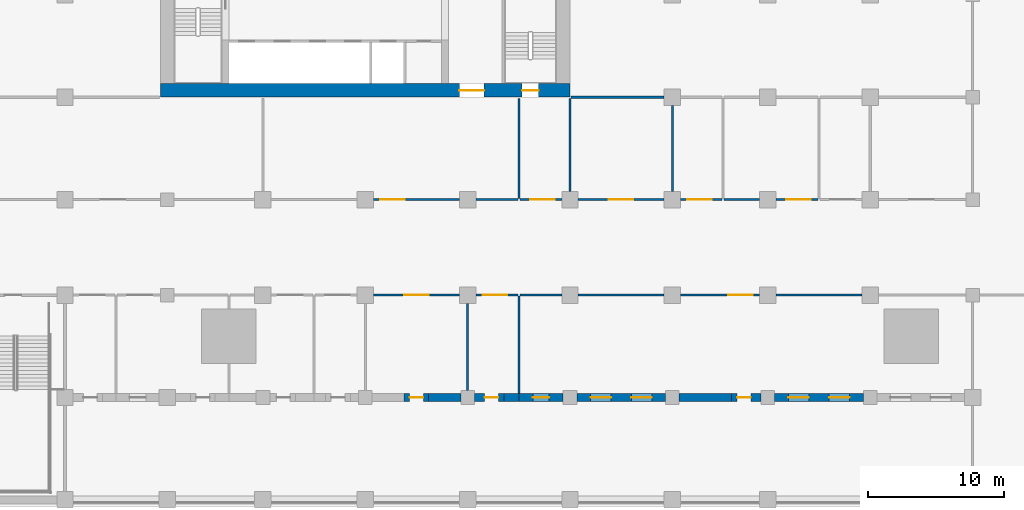
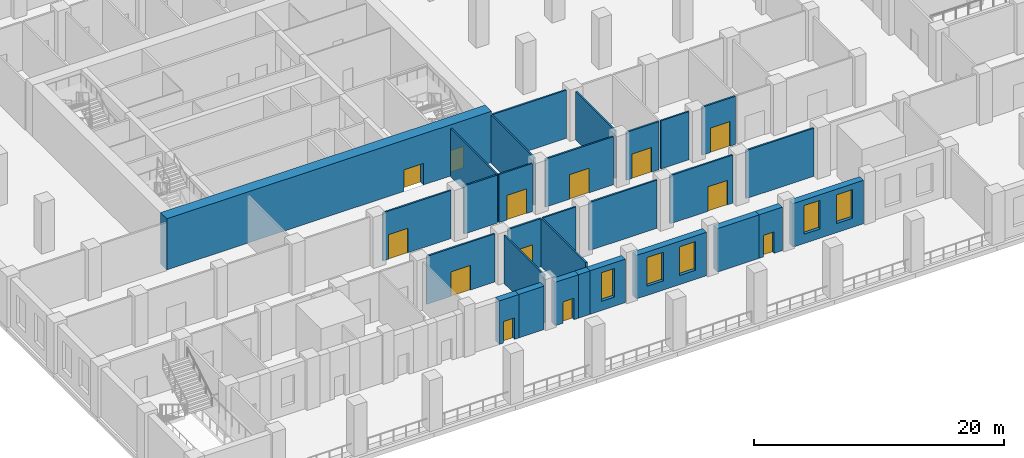
# One storey, part 4 of 22: 29 walls, 13 doors, 5 windows, 18 openings.
"""IFC4 building model written with IfcOpenShell, lengths in metres."""

from ifc_helpers import new_model, si_unit, direction, frame, frame_2d, origin, place, context, subcontext, project, spatial, rectangle, extrude, material, layer, layer_set, type_object, element, fill, save


model = new_model("IFC4")

# Units and contexts
model_context = context("Model", 3, precision=1e-05, world=origin(), true_north=direction((0.0, 1.0)))
body_context = subcontext(model_context, "Body", "Model", "MODEL_VIEW")
ifc_project = project(units=[si_unit("LENGTHUNIT", "METRE"), si_unit("AREAUNIT", "SQUARE_METRE"), si_unit("VOLUMEUNIT", "CUBIC_METRE"), si_unit("PLANEANGLEUNIT", "RADIAN"), si_unit("MASSUNIT", "GRAM", prefix="KILO")], contexts=[model_context])

# Site, building, storey
site_placement = place(None, origin())
site = spatial("IfcSite", under=ifc_project, at=site_placement, CompositionType="ELEMENT")
building_placement = place(site_placement, origin())
building = spatial("IfcBuilding", under=site, at=building_placement, Name="Tamorin Gate", CompositionType="ELEMENT")
storey_placement = place(building_placement, frame((0.0, 0.0, 29.0)))
storey = spatial("IfcBuildingStorey", under=building, at=storey_placement, Name="L05", CompositionType="ELEMENT", Elevation=29.0)

# Wall, opening, door
ifc_material_1 = material(Name="Concrete masonry C20/25", Category="masonry")
ifc_layer_1 = layer(ifc_material_1, 0.14990234375)
ifc_layer_set_1 = layer_set([ifc_layer_1], Name="Partition 150")
wall_type_1 = type_object("IfcWallType", Name="Partition 150", PredefinedType="PARTITIONING", material=ifc_layer_set_1)
wall_1_placement = place(storey_placement, frame((45.60009765625, 45.5, 0.0), z_axis=(0.0, 0.0, 1.0), x_axis=(1.0, 0.0, 0.0)))
wall_1 = element("IfcWall", 1, at=wall_1_placement, inside=storey, type_object=wall_type_1, Name="Partition 150 L05", PredefinedType="PARTITIONING", context=body_context, shape_type="SweptSolid", body=[
    extrude(rectangle(XDim=6.2998046875, YDim=0.14990234375, at=frame_2d((3.14990234375, 0.0))), origin(), (0.0, 0.0, 1.0), 4.699951171875),
])
opening_1_placement = place(wall_1_placement, frame((2.25, 0.0, 0.0)))
opening_1 = element("IfcOpeningElement", 2, at=opening_1_placement, cuts=wall_1, Name="Opening DP3", PredefinedType="OPENING", context=body_context, shape_type="SweptSolid", body=[
    extrude(rectangle(XDim=1.800048828125, YDim=2.39990234375, at=frame_2d((0.89990234375, 1.199951171875))), frame((0.0, 0.0849609375, 0.0), z_axis=(0.0, -1.0, 0.0), x_axis=(1.0, 0.0, 0.0)), (0.0, 0.0, 1.0), 0.169921875),
])
ifc_material_2 = material(Name="Steel and glass", Category="steel")
door_type_1 = type_object("IfcDoorType", Name="Door pair 1800", OperationType="DOUBLE_DOOR_SINGLE_SWING", PredefinedType="DOOR", material=ifc_material_2)
door_1_placement = place(opening_1_placement, origin())
door_1 = element("IfcDoor", 3, at=door_1_placement, inside=storey, type_object=door_type_1, Name="Door pair 1800 L05", OperationType="SINGLE_SWING_LEFT", OverallHeight=2.39990234375, OverallWidth=1.800048828125, PredefinedType="DOOR", context=body_context, shape_type="SweptSolid", body=[
    extrude(rectangle(XDim=1.800048828125, YDim=2.39990234375, at=frame_2d((0.89990234375, 1.199951171875))), frame((0.0, 0.02490234375, 0.0), z_axis=(0.0, -1.0, 0.0), x_axis=(1.0, 0.0, 0.0)), (0.0, 0.0, 1.0), 0.050048828125),
])
fill(opening_1, door_1)

wall_2_placement = place(storey_placement, frame((53.10009765625, 45.5, 0.0), z_axis=(0.0, 0.0, 1.0), x_axis=(1.0, 0.0, 0.0)))
wall_2 = element("IfcWall", 4, at=wall_2_placement, inside=storey, type_object=wall_type_1, Name="Partition 150 L05", PredefinedType="PARTITIONING", context=body_context, shape_type="SweptSolid", body=[
    extrude(rectangle(XDim=3.074951171875, YDim=0.14990234375, at=frame_2d((1.53759765625, 0.0))), origin(), (0.0, 0.0, 1.0), 4.699951171875),
])
opening_2_placement = place(wall_2_placement, frame((0.5, 0.0, 0.0)))
opening_2 = element("IfcOpeningElement", 5, at=opening_2_placement, cuts=wall_2, Name="Opening DP3", PredefinedType="OPENING", context=body_context, shape_type="SweptSolid", body=[
    extrude(rectangle(XDim=1.800048828125, YDim=2.39990234375, at=frame_2d((0.89990234375, 1.199951171875))), frame((0.0, 0.0849609375, 0.0), z_axis=(0.0, -1.0, 0.0), x_axis=(1.0, 0.0, 0.0)), (0.0, 0.0, 1.0), 0.169921875),
])
door_2_placement = place(opening_2_placement, origin())
door_2 = element("IfcDoor", 6, at=door_2_placement, inside=storey, type_object=door_type_1, Name="Door pair 1800 L05", OperationType="SINGLE_SWING_LEFT", OverallHeight=2.39990234375, OverallWidth=1.800048828125, PredefinedType="DOOR", context=body_context, shape_type="SweptSolid", body=[
    extrude(rectangle(XDim=1.800048828125, YDim=2.39990234375, at=frame_2d((0.89990234375, 1.199951171875))), frame((0.0, 0.02490234375, 0.0), z_axis=(0.0, -1.0, 0.0), x_axis=(1.0, 0.0, 0.0)), (0.0, 0.0, 1.0), 0.050048828125),
])
fill(opening_2, door_2)

# Walls
wall_3_placement = place(storey_placement, frame((56.324951171875, 45.5, 0.0), z_axis=(0.0, 0.0, 1.0), x_axis=(1.0, 0.0, 0.0)))
element("IfcWall", 7, at=wall_3_placement, inside=storey, type_object=wall_type_1, Name="Partition 150 L05", PredefinedType="PARTITIONING", context=body_context, shape_type="SweptSolid", body=[
    extrude(rectangle(XDim=3.074951171875, YDim=0.14990234375, at=frame_2d((1.53759765625, 0.0))), origin(), (0.0, 0.0, 1.0), 4.699951171875),
])
wall_4_placement = place(storey_placement, frame((60.60009765625, 45.5, 0.0), z_axis=(0.0, 0.0, 1.0), x_axis=(1.0, 0.0, 0.0)))
element("IfcWall", 8, at=wall_4_placement, inside=storey, type_object=wall_type_1, Name="Partition 150 L05", PredefinedType="PARTITIONING", context=body_context, shape_type="SweptSolid", body=[
    extrude(rectangle(XDim=6.2998046875, YDim=0.14990234375, at=frame_2d((3.14990234375, 0.0))), origin(), (0.0, 0.0, 1.0), 4.699951171875),
])

# Wall, opening, door
wall_5_placement = place(storey_placement, frame((68.10009765625, 45.5, 0.0), z_axis=(0.0, 0.0, 1.0), x_axis=(1.0, 0.0, 0.0)))
wall_5 = element("IfcWall", 9, at=wall_5_placement, inside=storey, type_object=wall_type_1, Name="Partition 150 L05", PredefinedType="PARTITIONING", context=body_context, shape_type="SweptSolid", body=[
    extrude(rectangle(XDim=5.7998046875, YDim=0.14990234375, at=frame_2d((2.89990234375, 0.0))), origin(), (0.0, 0.0, 1.0), 4.699951171875),
])
opening_3_placement = place(wall_5_placement, frame((3.5, 0.0, 0.0)))
opening_3 = element("IfcOpeningElement", 10, at=opening_3_placement, cuts=wall_5, Name="Opening DP3", PredefinedType="OPENING", context=body_context, shape_type="SweptSolid", body=[
    extrude(rectangle(XDim=1.800048828125, YDim=2.39990234375, at=frame_2d((0.89990234375, 1.199951171875))), frame((0.0, 0.0849609375, 0.0), z_axis=(0.0, -1.0, 0.0), x_axis=(1.0, 0.0, 0.0)), (0.0, 0.0, 1.0), 0.169921875),
])
door_3_placement = place(opening_3_placement, origin())
door_3 = element("IfcDoor", 11, at=door_3_placement, inside=storey, type_object=door_type_1, Name="Door pair 1800 L05", OperationType="SINGLE_SWING_LEFT", OverallHeight=2.39990234375, OverallWidth=1.800048828125, PredefinedType="DOOR", context=body_context, shape_type="SweptSolid", body=[
    extrude(rectangle(XDim=1.800048828125, YDim=2.39990234375, at=frame_2d((0.89990234375, 1.199951171875))), frame((0.0, 0.02490234375, 0.0), z_axis=(0.0, -1.0, 0.0), x_axis=(1.0, 0.0, 0.0)), (0.0, 0.0, 1.0), 0.050048828125),
])
fill(opening_3, door_3)

# Wall
wall_6_placement = place(storey_placement, frame((75.10009765625, 45.5, 0.0), z_axis=(0.0, 0.0, 1.0), x_axis=(1.0, 0.0, 0.0)))
element("IfcWall", 12, at=wall_6_placement, inside=storey, type_object=wall_type_1, Name="Partition 150 L05", PredefinedType="PARTITIONING", context=body_context, shape_type="SweptSolid", body=[
    extrude(rectangle(XDim=6.2998046875, YDim=0.14990234375, at=frame_2d((3.14990234375, 0.0))), origin(), (0.0, 0.0, 1.0), 4.699951171875),
])

# Wall, opening, door
wall_7_placement = place(storey_placement, frame((51.89990234375, 52.5, 0.0), z_axis=(0.0, 0.0, 1.0), x_axis=(-1.0, 0.0, 0.0)))
wall_7 = element("IfcWall", 13, at=wall_7_placement, inside=storey, type_object=wall_type_1, Name="Partition 150 L05", PredefinedType="PARTITIONING", context=body_context, shape_type="SweptSolid", body=[
    extrude(rectangle(XDim=6.2998046875, YDim=0.14990234375, at=frame_2d((3.14990234375, 0.0))), origin(), (0.0, 0.0, 1.0), 4.699951171875),
])
opening_4_placement = place(wall_7_placement, frame((4.0, 0.0, 0.0)))
opening_4 = element("IfcOpeningElement", 14, at=opening_4_placement, cuts=wall_7, Name="Opening DP3", PredefinedType="OPENING", context=body_context, shape_type="SweptSolid", body=[
    extrude(rectangle(XDim=1.800048828125, YDim=2.39990234375, at=frame_2d((0.89990234375, 1.199951171875))), frame((0.0, 0.0849609375, 0.0), z_axis=(0.0, -1.0, 0.0), x_axis=(1.0, 0.0, 0.0)), (0.0, 0.0, 1.0), 0.169921875),
])
door_4_placement = place(opening_4_placement, origin())
door_4 = element("IfcDoor", 15, at=door_4_placement, inside=storey, type_object=door_type_1, Name="Door pair 1800 L05", OperationType="SINGLE_SWING_LEFT", OverallHeight=2.39990234375, OverallWidth=1.800048828125, PredefinedType="DOOR", context=body_context, shape_type="SweptSolid", body=[
    extrude(rectangle(XDim=1.800048828125, YDim=2.39990234375, at=frame_2d((0.89990234375, 1.199951171875))), frame((0.0, 0.02490234375, 0.0), z_axis=(0.0, -1.0, 0.0), x_axis=(1.0, 0.0, 0.0)), (0.0, 0.0, 1.0), 0.050048828125),
])
fill(opening_4, door_4)

# Wall
wall_8_placement = place(storey_placement, frame((53.10009765625, 52.5, 0.0), z_axis=(0.0, 0.0, 1.0), x_axis=(1.0, 0.0, 0.0)))
element("IfcWall", 16, at=wall_8_placement, inside=storey, type_object=wall_type_1, Name="Partition 150 L05", PredefinedType="PARTITIONING", context=body_context, shape_type="SweptSolid", body=[
    extrude(rectangle(XDim=3.074951171875, YDim=0.14990234375, at=frame_2d((1.53759765625, 0.0))), origin(), (0.0, 0.0, 1.0), 4.699951171875),
])

# Wall, opening, door
wall_9_placement = place(storey_placement, frame((59.39990234375, 52.5, 0.0), z_axis=(0.0, 0.0, 1.0), x_axis=(-1.0, 0.0, 0.0)))
wall_9 = element("IfcWall", 17, at=wall_9_placement, inside=storey, type_object=wall_type_1, Name="Partition 150 L05", PredefinedType="PARTITIONING", context=body_context, shape_type="SweptSolid", body=[
    extrude(rectangle(XDim=3.074951171875, YDim=0.14990234375, at=frame_2d((1.53759765625, 0.0))), origin(), (0.0, 0.0, 1.0), 4.699951171875),
])
opening_5_placement = place(wall_9_placement, frame((0.52490234375, 0.0, 0.0)))
opening_5 = element("IfcOpeningElement", 18, at=opening_5_placement, cuts=wall_9, Name="Opening DP3", PredefinedType="OPENING", context=body_context, shape_type="SweptSolid", body=[
    extrude(rectangle(XDim=1.800048828125, YDim=2.39990234375, at=frame_2d((0.89990234375, 1.199951171875))), frame((0.0, 0.0849609375, 0.0), z_axis=(0.0, -1.0, 0.0), x_axis=(1.0, 0.0, 0.0)), (0.0, 0.0, 1.0), 0.169921875),
])
door_5_placement = place(opening_5_placement, origin())
door_5 = element("IfcDoor", 19, at=door_5_placement, inside=storey, type_object=door_type_1, Name="Door pair 1800 L05", OperationType="SINGLE_SWING_LEFT", OverallHeight=2.39990234375, OverallWidth=1.800048828125, PredefinedType="DOOR", context=body_context, shape_type="SweptSolid", body=[
    extrude(rectangle(XDim=1.800048828125, YDim=2.39990234375, at=frame_2d((0.89990234375, 1.199951171875))), frame((0.0, 0.02490234375, 0.0), z_axis=(0.0, -1.0, 0.0), x_axis=(1.0, 0.0, 0.0)), (0.0, 0.0, 1.0), 0.050048828125),
])
fill(opening_5, door_5)

wall_10_placement = place(storey_placement, frame((66.89990234375, 52.5, 0.0), z_axis=(0.0, 0.0, 1.0), x_axis=(-1.0, 0.0, 0.0)))
wall_10 = element("IfcWall", 20, at=wall_10_placement, inside=storey, type_object=wall_type_1, Name="Partition 150 L05", PredefinedType="PARTITIONING", context=body_context, shape_type="SweptSolid", body=[
    extrude(rectangle(XDim=6.2998046875, YDim=0.14990234375, at=frame_2d((3.14990234375, 0.0))), origin(), (0.0, 0.0, 1.0), 4.699951171875),
])
opening_6_placement = place(wall_10_placement, frame((2.25, 0.0, 0.0)))
opening_6 = element("IfcOpeningElement", 21, at=opening_6_placement, cuts=wall_10, Name="Opening DP3", PredefinedType="OPENING", context=body_context, shape_type="SweptSolid", body=[
    extrude(rectangle(XDim=1.800048828125, YDim=2.39990234375, at=frame_2d((0.89990234375, 1.199951171875))), frame((0.0, 0.0849609375, 0.0), z_axis=(0.0, -1.0, 0.0), x_axis=(1.0, 0.0, 0.0)), (0.0, 0.0, 1.0), 0.169921875),
])
door_6_placement = place(opening_6_placement, origin())
door_6 = element("IfcDoor", 22, at=door_6_placement, inside=storey, type_object=door_type_1, Name="Door pair 1800 L05", OperationType="SINGLE_SWING_LEFT", OverallHeight=2.39990234375, OverallWidth=1.800048828125, PredefinedType="DOOR", context=body_context, shape_type="SweptSolid", body=[
    extrude(rectangle(XDim=1.800048828125, YDim=2.39990234375, at=frame_2d((0.89990234375, 1.199951171875))), frame((0.0, 0.02490234375, 0.0), z_axis=(0.0, -1.0, 0.0), x_axis=(1.0, 0.0, 0.0)), (0.0, 0.0, 1.0), 0.050048828125),
])
fill(opening_6, door_6)

wall_11_placement = place(storey_placement, frame((71.125, 52.5, 0.0), z_axis=(0.0, 0.0, 1.0), x_axis=(-1.0, 0.0, 0.0)))
wall_11 = element("IfcWall", 23, at=wall_11_placement, inside=storey, type_object=wall_type_1, Name="Partition 150 L05", PredefinedType="PARTITIONING", context=body_context, shape_type="SweptSolid", body=[
    extrude(rectangle(XDim=3.02490234375, YDim=0.14990234375, at=frame_2d((1.512451171875, 0.0))), origin(), (0.0, 0.0, 1.0), 4.699951171875),
])
opening_7_placement = place(wall_11_placement, frame((0.72509765625, 0.0, 0.0)))
opening_7 = element("IfcOpeningElement", 24, at=opening_7_placement, cuts=wall_11, Name="Opening DP3", PredefinedType="OPENING", context=body_context, shape_type="SweptSolid", body=[
    extrude(rectangle(XDim=1.800048828125, YDim=2.39990234375, at=frame_2d((0.89990234375, 1.199951171875))), frame((0.0, 0.0849609375, 0.0), z_axis=(0.0, -1.0, 0.0), x_axis=(1.0, 0.0, 0.0)), (0.0, 0.0, 1.0), 0.169921875),
])
door_7_placement = place(opening_7_placement, origin())
door_7 = element("IfcDoor", 25, at=door_7_placement, inside=storey, type_object=door_type_1, Name="Door pair 1800 L05", OperationType="SINGLE_SWING_LEFT", OverallHeight=2.39990234375, OverallWidth=1.800048828125, PredefinedType="DOOR", context=body_context, shape_type="SweptSolid", body=[
    extrude(rectangle(XDim=1.800048828125, YDim=2.39990234375, at=frame_2d((0.89990234375, 1.199951171875))), frame((0.0, 0.02490234375, 0.0), z_axis=(0.0, -1.0, 0.0), x_axis=(1.0, 0.0, 0.0)), (0.0, 0.0, 1.0), 0.050048828125),
])
fill(opening_7, door_7)

# Wall
wall_12_placement = place(storey_placement, frame((71.27490234375, 52.5, 0.0), z_axis=(0.0, 0.0, 1.0), x_axis=(1.0, 0.0, 0.0)))
element("IfcWall", 26, at=wall_12_placement, inside=storey, type_object=wall_type_1, Name="Partition 150 L05", PredefinedType="PARTITIONING", context=body_context, shape_type="SweptSolid", body=[
    extrude(rectangle(XDim=2.625, YDim=0.14990234375, at=frame_2d((1.3125, 0.0))), origin(), (0.0, 0.0, 1.0), 4.699951171875),
])

# Wall, opening, door
wall_13_placement = place(storey_placement, frame((78.175048828125, 52.5, 0.0), z_axis=(0.0, 0.0, 1.0), x_axis=(-1.0, 0.0, 0.0)))
wall_13 = element("IfcWall", 27, at=wall_13_placement, inside=storey, type_object=wall_type_1, Name="Partition 150 L05", PredefinedType="PARTITIONING", context=body_context, shape_type="SweptSolid", body=[
    extrude(rectangle(XDim=3.074951171875, YDim=0.14990234375, at=frame_2d((1.53759765625, 0.0))), origin(), (0.0, 0.0, 1.0), 4.699951171875),
])
opening_8_placement = place(wall_13_placement, frame((0.52490234375, 0.0, 0.0)))
opening_8 = element("IfcOpeningElement", 28, at=opening_8_placement, cuts=wall_13, Name="Opening DP3", PredefinedType="OPENING", context=body_context, shape_type="SweptSolid", body=[
    extrude(rectangle(XDim=1.800048828125, YDim=2.39990234375, at=frame_2d((0.89990234375, 1.199951171875))), frame((0.0, 0.0849609375, 0.0), z_axis=(0.0, -1.0, 0.0), x_axis=(1.0, 0.0, 0.0)), (0.0, 0.0, 1.0), 0.169921875),
])
door_8_placement = place(opening_8_placement, origin())
door_8 = element("IfcDoor", 29, at=door_8_placement, inside=storey, type_object=door_type_1, Name="Door pair 1800 L05", OperationType="SINGLE_SWING_LEFT", OverallHeight=2.39990234375, OverallWidth=1.800048828125, PredefinedType="DOOR", context=body_context, shape_type="SweptSolid", body=[
    extrude(rectangle(XDim=1.800048828125, YDim=2.39990234375, at=frame_2d((0.89990234375, 1.199951171875))), frame((0.0, 0.02490234375, 0.0), z_axis=(0.0, -1.0, 0.0), x_axis=(1.0, 0.0, 0.0)), (0.0, 0.0, 1.0), 0.050048828125),
])
fill(opening_8, door_8)

# Walls
wall_14_placement = place(storey_placement, frame((60.074951171875, 60.0, 0.0), z_axis=(0.0, 0.0, 1.0), x_axis=(1.0, 0.0, 0.0)))
element("IfcWall", 30, at=wall_14_placement, inside=storey, type_object=wall_type_1, Name="Partition 150 L05", PredefinedType="PARTITIONING", context=body_context, shape_type="SweptSolid", body=[
    extrude(rectangle(XDim=6.824951171875, YDim=0.14990234375, at=frame_2d((3.41259765625, 0.0))), origin(), (0.0, 0.0, 1.0), 4.699951171875),
])
wall_15_placement = place(storey_placement, frame((52.5, 38.5, 0.0), z_axis=(0.0, 0.0, 1.0), x_axis=(0.0, 1.0, 0.0)))
element("IfcWall", 31, at=wall_15_placement, inside=storey, type_object=wall_type_1, Name="Partition 150 L05", PredefinedType="PARTITIONING", context=body_context, shape_type="SweptSolid", body=[
    extrude(rectangle(XDim=6.39990234375, YDim=0.14990234375, at=frame_2d((3.199951171875, 0.0))), origin(), (0.0, 0.0, 1.0), 4.699951171875),
])
wall_16_placement = place(storey_placement, frame((56.25, 38.300048828125, 0.0), z_axis=(0.0, 0.0, 1.0), x_axis=(0.0, 1.0, 0.0)))
element("IfcWall", 32, at=wall_16_placement, inside=storey, type_object=wall_type_1, Name="Partition 150 L05", PredefinedType="PARTITIONING", context=body_context, shape_type="SweptSolid", body=[
    extrude(rectangle(XDim=7.125, YDim=0.14990234375, at=frame_2d((3.5625, 0.0))), origin(), (0.0, 0.0, 1.0), 4.699951171875),
])
wall_17_placement = place(storey_placement, frame((56.25, 52.574951171875, 0.0), z_axis=(0.0, 0.0, 1.0), x_axis=(0.0, 1.0, 0.0)))
element("IfcWall", 33, at=wall_17_placement, inside=storey, type_object=wall_type_1, Name="Partition 150 L05", PredefinedType="PARTITIONING", context=body_context, shape_type="SweptSolid", body=[
    extrude(rectangle(XDim=7.35009765625, YDim=0.14990234375, at=frame_2d((3.675048828125, 0.0))), origin(), (0.0, 0.0, 1.0), 4.699951171875),
])
wall_18_placement = place(storey_placement, frame((60.0, 53.10009765625, 0.0), z_axis=(0.0, 0.0, 1.0), x_axis=(0.0, 1.0, 0.0)))
element("IfcWall", 34, at=wall_18_placement, inside=storey, type_object=wall_type_1, Name="Partition 150 L05", PredefinedType="PARTITIONING", context=body_context, shape_type="SweptSolid", body=[
    extrude(rectangle(XDim=6.824951171875, YDim=0.14990234375, at=frame_2d((3.41259765625, 0.0))), origin(), (0.0, 0.0, 1.0), 4.699951171875),
])
wall_19_placement = place(storey_placement, frame((67.5, 53.10009765625, 0.0), z_axis=(0.0, 0.0, 1.0), x_axis=(0.0, 1.0, 0.0)))
element("IfcWall", 35, at=wall_19_placement, inside=storey, type_object=wall_type_1, Name="Partition 150 L05", PredefinedType="PARTITIONING", context=body_context, shape_type="SweptSolid", body=[
    extrude(rectangle(XDim=6.2998046875, YDim=0.14990234375, at=frame_2d((3.14990234375, 0.0))), origin(), (0.0, 0.0, 1.0), 4.699951171875),
])

# Wall, opening, door
ifc_material_3 = material(Name="Precast concrete C40/50", Category="concrete")
ifc_layer_2 = layer(ifc_material_3, 0.60009765625)
ifc_layer_set_2 = layer_set([ifc_layer_2], Name="Precast concrete C40/50")
wall_type_2 = type_object("IfcWallType", Name="Precast plinth wall 600", PredefinedType="PARTITIONING", material=ifc_layer_set_2)
wall_20_placement = place(storey_placement, frame((49.64990234375, 38.0, 0.0), z_axis=(0.0, 0.0, 1.0), x_axis=(-1.0, 0.0, 0.0)))
wall_20 = element("IfcWall", 36, at=wall_20_placement, inside=storey, type_object=wall_type_2, Name="Precast plinth wall 600 L05", PredefinedType="PARTITIONING", context=body_context, shape_type="SweptSolid", body=[
    extrude(rectangle(XDim=1.7998046875, YDim=0.60009765625, at=frame_2d((0.89990234375, 0.0))), origin(), (0.0, 0.0, 1.0), 4.25),
])
opening_9_placement = place(wall_20_placement, frame((0.39990234375, 0.0, 0.0)))
opening_9 = element("IfcOpeningElement", 37, at=opening_9_placement, cuts=wall_20, Name="Opening DP2", PredefinedType="OPENING", context=body_context, shape_type="SweptSolid", body=[
    extrude(rectangle(XDim=1.0, YDim=2.10009765625, at=frame_2d((0.5, 1.050048828125))), frame((0.0, 0.31005859375, 0.0), z_axis=(0.0, -1.0, 0.0), x_axis=(1.0, 0.0, 0.0)), (0.0, 0.0, 1.0), 0.6201171875),
])
ifc_material_4 = material(Name="Painted steel", Category="steel")
door_type_2 = type_object("IfcDoorType", Name="Door single 1000", OperationType="SINGLE_SWING_LEFT", PredefinedType="DOOR", material=ifc_material_4)
door_9_placement = place(opening_9_placement, origin())
door_9 = element("IfcDoor", 38, at=door_9_placement, inside=storey, type_object=door_type_2, Name="Door single 1000 L05", OperationType="SINGLE_SWING_LEFT", OverallHeight=2.10009765625, OverallWidth=1.0, PredefinedType="DOOR", context=body_context, shape_type="SweptSolid", body=[
    extrude(rectangle(XDim=1.0, YDim=2.10009765625, at=frame_2d((0.5, 1.050048828125))), frame((0.0, 0.02490234375, 0.0), z_axis=(0.0, -1.0, 0.0), x_axis=(1.0, 0.0, 0.0)), (0.0, 0.0, 1.0), 0.050048828125),
])
fill(opening_9, door_9)

# Wall
wall_21_placement = place(storey_placement, frame((49.64990234375, 38.0, 0.0), z_axis=(0.0, 0.0, 1.0), x_axis=(1.0, 0.0, 0.0)))
element("IfcWall", 39, at=wall_21_placement, inside=storey, type_object=wall_type_2, Name="Precast plinth wall 600 L05", PredefinedType="PARTITIONING", context=body_context, shape_type="SweptSolid", body=[
    extrude(rectangle(XDim=2.35009765625, YDim=0.60009765625, at=frame_2d((1.175048828125, 0.0))), origin(), (0.0, 0.0, 1.0), 4.25),
])

# Wall, opening, door
wall_22_placement = place(storey_placement, frame((55.14990234375, 38.0, 0.0), z_axis=(0.0, 0.0, 1.0), x_axis=(-1.0, 0.0, 0.0)))
wall_22 = element("IfcWall", 40, at=wall_22_placement, inside=storey, type_object=wall_type_2, Name="Precast plinth wall 600 L05", PredefinedType="PARTITIONING", context=body_context, shape_type="SweptSolid", body=[
    extrude(rectangle(XDim=2.14990234375, YDim=0.60009765625, at=frame_2d((1.074951171875, 0.0))), origin(), (0.0, 0.0, 1.0), 4.25),
])
opening_10_placement = place(wall_22_placement, frame((0.39990234375, 0.0, 0.0)))
opening_10 = element("IfcOpeningElement", 41, at=opening_10_placement, cuts=wall_22, Name="Opening DP2", PredefinedType="OPENING", context=body_context, shape_type="SweptSolid", body=[
    extrude(rectangle(XDim=1.0, YDim=2.10009765625, at=frame_2d((0.5, 1.050048828125))), frame((0.0, 0.31005859375, 0.0), z_axis=(0.0, -1.0, 0.0), x_axis=(1.0, 0.0, 0.0)), (0.0, 0.0, 1.0), 0.6201171875),
])
door_10_placement = place(opening_10_placement, origin())
door_10 = element("IfcDoor", 42, at=door_10_placement, inside=storey, type_object=door_type_2, Name="Door single 1000 L05", OperationType="SINGLE_SWING_LEFT", OverallHeight=2.10009765625, OverallWidth=1.0, PredefinedType="DOOR", context=body_context, shape_type="SweptSolid", body=[
    extrude(rectangle(XDim=1.0, YDim=2.10009765625, at=frame_2d((0.5, 1.050048828125))), frame((0.0, 0.02490234375, 0.0), z_axis=(0.0, -1.0, 0.0), x_axis=(1.0, 0.0, 0.0)), (0.0, 0.0, 1.0), 0.050048828125),
])
fill(opening_10, door_10)

# Wall
wall_23_placement = place(storey_placement, frame((55.14990234375, 38.0, 0.0), z_axis=(0.0, 0.0, 1.0), x_axis=(1.0, 0.0, 0.0)))
element("IfcWall", 43, at=wall_23_placement, inside=storey, type_object=wall_type_2, Name="Precast plinth wall 600 L05", PredefinedType="PARTITIONING", context=body_context, shape_type="SweptSolid", body=[
    extrude(rectangle(XDim=1.10009765625, YDim=0.60009765625, at=frame_2d((0.550048828125, 0.0))), origin(), (0.0, 0.0, 1.0), 4.25),
])

# Wall, opening, window
wall_24_placement = place(storey_placement, frame((56.25, 38.0, 0.0), z_axis=(0.0, 0.0, 1.0), x_axis=(1.0, 0.0, 0.0)))
wall_24 = element("IfcWall", 44, at=wall_24_placement, inside=storey, type_object=wall_type_2, Name="Precast plinth wall 600 L05", PredefinedType="PARTITIONING", context=body_context, shape_type="SweptSolid", body=[
    extrude(rectangle(XDim=3.25, YDim=0.60009765625, at=frame_2d((1.625, 0.0))), origin(), (0.0, 0.0, 1.0), 4.25),
])
opening_11_placement = place(wall_24_placement, frame((1.02490234375, 0.0, 0.89990234375)))
opening_11 = element("IfcOpeningElement", 45, at=opening_11_placement, cuts=wall_24, Name="Opening PWN4", PredefinedType="OPENING", context=body_context, shape_type="SweptSolid", body=[
    extrude(rectangle(XDim=1.199951171875, YDim=2.800048828125, at=frame_2d((0.60009765625, 1.39990234375))), frame((0.0, 0.31005859375, 0.0), z_axis=(0.0, -1.0, 0.0), x_axis=(1.0, 0.0, 0.0)), (0.0, 0.0, 1.0), 0.6201171875),
])
ifc_material_5 = material(Name="Aluminium and glass", Category="aluminium")
window_type_1 = type_object("IfcWindowType", Name="Plinth window 1200x2800", PartitioningType="DOUBLE_PANEL_VERTICAL", PredefinedType="WINDOW", material=ifc_material_5)
window_1_placement = place(opening_11_placement, origin())
window_1 = element("IfcWindow", 46, at=window_1_placement, inside=storey, type_object=window_type_1, Name="Plinth window 1200x2800", OverallHeight=2.800048828125, OverallWidth=1.199951171875, PartitioningType="SINGLE_PANEL", PredefinedType="WINDOW", context=body_context, shape_type="SweptSolid", body=[
    extrude(rectangle(XDim=1.199951171875, YDim=2.800048828125, at=frame_2d((0.60009765625, 1.39990234375))), frame((0.0, 0.030029296875, 0.0), z_axis=(0.0, -1.0, 0.0), x_axis=(1.0, 0.0, 0.0)), (0.0, 0.0, 1.0), 0.06005859375),
])
fill(opening_11, window_1)

# Wall, openings, windows
wall_25_placement = place(storey_placement, frame((60.5, 38.0, 0.0), z_axis=(0.0, 0.0, 1.0), x_axis=(1.0, 0.0, 0.0)))
wall_25 = element("IfcWall", 47, at=wall_25_placement, inside=storey, type_object=wall_type_2, Name="Precast plinth wall 600 L05", PredefinedType="PARTITIONING", context=body_context, shape_type="SweptSolid", body=[
    extrude(rectangle(XDim=6.5, YDim=0.60009765625, at=frame_2d((3.25, 0.0))), origin(), (0.0, 0.0, 1.0), 4.25),
])
opening_12_placement = place(wall_25_placement, frame((1.0048828125, 0.0, 0.89990234375)))
opening_12 = element("IfcOpeningElement", 48, at=opening_12_placement, cuts=wall_25, Name="Opening PWN5", PredefinedType="OPENING", context=body_context, shape_type="SweptSolid", body=[
    extrude(rectangle(XDim=1.5, YDim=2.800048828125, at=frame_2d((0.75, 1.39990234375))), frame((0.0, 0.31005859375, 0.0), z_axis=(0.0, -1.0, 0.0), x_axis=(1.0, 0.0, 0.0)), (0.0, 0.0, 1.0), 0.6201171875),
])
opening_13_placement = place(wall_25_placement, frame((3.9951171875, 0.0, 0.89990234375)))
opening_13 = element("IfcOpeningElement", 49, at=opening_13_placement, cuts=wall_25, Name="Opening PWN5", PredefinedType="OPENING", context=body_context, shape_type="SweptSolid", body=[
    extrude(rectangle(XDim=1.5, YDim=2.800048828125, at=frame_2d((0.75, 1.39990234375))), frame((0.0, 0.31005859375, 0.0), z_axis=(0.0, -1.0, 0.0), x_axis=(1.0, 0.0, 0.0)), (0.0, 0.0, 1.0), 0.6201171875),
])
window_type_2 = type_object("IfcWindowType", Name="Plinth window 1500x2800", PartitioningType="DOUBLE_PANEL_VERTICAL", PredefinedType="WINDOW", material=ifc_material_5)
window_2_placement = place(opening_12_placement, origin())
window_2 = element("IfcWindow", 50, at=window_2_placement, inside=storey, type_object=window_type_2, Name="Plinth window 1500x2800", OverallHeight=2.800048828125, OverallWidth=1.5, PartitioningType="SINGLE_PANEL", PredefinedType="WINDOW", context=body_context, shape_type="SweptSolid", body=[
    extrude(rectangle(XDim=1.5, YDim=2.800048828125, at=frame_2d((0.75, 1.39990234375))), frame((0.0, 0.030029296875, 0.0), z_axis=(0.0, -1.0, 0.0), x_axis=(1.0, 0.0, 0.0)), (0.0, 0.0, 1.0), 0.06005859375),
])
fill(opening_12, window_2)
window_3_placement = place(opening_13_placement, origin())
window_3 = element("IfcWindow", 51, at=window_3_placement, inside=storey, type_object=window_type_2, Name="Plinth window 1500x2800", OverallHeight=2.800048828125, OverallWidth=1.5, PartitioningType="SINGLE_PANEL", PredefinedType="WINDOW", context=body_context, shape_type="SweptSolid", body=[
    extrude(rectangle(XDim=1.5, YDim=2.800048828125, at=frame_2d((0.75, 1.39990234375))), frame((0.0, 0.030029296875, 0.0), z_axis=(0.0, -1.0, 0.0), x_axis=(1.0, 0.0, 0.0)), (0.0, 0.0, 1.0), 0.06005859375),
])
fill(opening_13, window_3)

# Wall, opening, door
wall_26_placement = place(storey_placement, frame((74.0, 38.0, 0.0), z_axis=(0.0, 0.0, 1.0), x_axis=(-1.0, 0.0, 0.0)))
wall_26 = element("IfcWall", 52, at=wall_26_placement, inside=storey, type_object=wall_type_2, Name="Precast plinth wall 600 L05", PredefinedType="PARTITIONING", context=body_context, shape_type="SweptSolid", body=[
    extrude(rectangle(XDim=2.14990234375, YDim=0.60009765625, at=frame_2d((1.074951171875, 0.0))), origin(), (0.0, 0.0, 1.0), 4.25),
])
opening_14_placement = place(wall_26_placement, frame((0.75, 0.0, 0.0)))
opening_14 = element("IfcOpeningElement", 53, at=opening_14_placement, cuts=wall_26, Name="Opening DP2", PredefinedType="OPENING", context=body_context, shape_type="SweptSolid", body=[
    extrude(rectangle(XDim=1.0, YDim=2.10009765625, at=frame_2d((0.5, 1.050048828125))), frame((0.0, 0.31005859375, 0.0), z_axis=(0.0, -1.0, 0.0), x_axis=(1.0, 0.0, 0.0)), (0.0, 0.0, 1.0), 0.6201171875),
])
door_11_placement = place(opening_14_placement, origin())
door_11 = element("IfcDoor", 54, at=door_11_placement, inside=storey, type_object=door_type_2, Name="Door single 1000 L05", OperationType="SINGLE_SWING_LEFT", OverallHeight=2.10009765625, OverallWidth=1.0, PredefinedType="DOOR", context=body_context, shape_type="SweptSolid", body=[
    extrude(rectangle(XDim=1.0, YDim=2.10009765625, at=frame_2d((0.5, 1.050048828125))), frame((0.0, 0.02490234375, 0.0), z_axis=(0.0, -1.0, 0.0), x_axis=(1.0, 0.0, 0.0)), (0.0, 0.0, 1.0), 0.050048828125),
])
fill(opening_14, door_11)

# Wall
wall_27_placement = place(storey_placement, frame((68.0, 38.0, 0.0), z_axis=(0.0, 0.0, 1.0), x_axis=(1.0, 0.0, 0.0)))
element("IfcWall", 55, at=wall_27_placement, inside=storey, type_object=wall_type_2, Name="Precast plinth wall 600 L05", PredefinedType="PARTITIONING", context=body_context, shape_type="SweptSolid", body=[
    extrude(rectangle(XDim=3.85009765625, YDim=0.60009765625, at=frame_2d((1.925048828125, 0.0))), origin(), (0.0, 0.0, 1.0), 4.25),
])

# Wall, openings, windows
wall_28_placement = place(storey_placement, frame((75.0, 38.0, 0.0), z_axis=(0.0, 0.0, 1.0), x_axis=(1.0, 0.0, 0.0)))
wall_28 = element("IfcWall", 56, at=wall_28_placement, inside=storey, type_object=wall_type_2, Name="Precast plinth wall 600 L05", PredefinedType="PARTITIONING", context=body_context, shape_type="SweptSolid", body=[
    extrude(rectangle(XDim=6.5, YDim=0.60009765625, at=frame_2d((3.25, 0.0))), origin(), (0.0, 0.0, 1.0), 4.25),
])
opening_15_placement = place(wall_28_placement, frame((1.0048828125, 0.0, 0.89990234375)))
opening_15 = element("IfcOpeningElement", 57, at=opening_15_placement, cuts=wall_28, Name="Opening PWN5", PredefinedType="OPENING", context=body_context, shape_type="SweptSolid", body=[
    extrude(rectangle(XDim=1.5, YDim=2.800048828125, at=frame_2d((0.75, 1.39990234375))), frame((0.0, 0.31005859375, 0.0), z_axis=(0.0, -1.0, 0.0), x_axis=(1.0, 0.0, 0.0)), (0.0, 0.0, 1.0), 0.6201171875),
])
opening_16_placement = place(wall_28_placement, frame((3.9951171875, 0.0, 0.89990234375)))
opening_16 = element("IfcOpeningElement", 58, at=opening_16_placement, cuts=wall_28, Name="Opening PWN5", PredefinedType="OPENING", context=body_context, shape_type="SweptSolid", body=[
    extrude(rectangle(XDim=1.5, YDim=2.800048828125, at=frame_2d((0.75, 1.39990234375))), frame((0.0, 0.31005859375, 0.0), z_axis=(0.0, -1.0, 0.0), x_axis=(1.0, 0.0, 0.0)), (0.0, 0.0, 1.0), 0.6201171875),
])
window_4_placement = place(opening_15_placement, origin())
window_4 = element("IfcWindow", 59, at=window_4_placement, inside=storey, type_object=window_type_2, Name="Plinth window 1500x2800", OverallHeight=2.800048828125, OverallWidth=1.5, PartitioningType="SINGLE_PANEL", PredefinedType="WINDOW", context=body_context, shape_type="SweptSolid", body=[
    extrude(rectangle(XDim=1.5, YDim=2.800048828125, at=frame_2d((0.75, 1.39990234375))), frame((0.0, 0.030029296875, 0.0), z_axis=(0.0, -1.0, 0.0), x_axis=(1.0, 0.0, 0.0)), (0.0, 0.0, 1.0), 0.06005859375),
])
fill(opening_15, window_4)
window_5_placement = place(opening_16_placement, origin())
window_5 = element("IfcWindow", 60, at=window_5_placement, inside=storey, type_object=window_type_2, Name="Plinth window 1500x2800", OverallHeight=2.800048828125, OverallWidth=1.5, PartitioningType="SINGLE_PANEL", PredefinedType="WINDOW", context=body_context, shape_type="SweptSolid", body=[
    extrude(rectangle(XDim=1.5, YDim=2.800048828125, at=frame_2d((0.75, 1.39990234375))), frame((0.0, 0.030029296875, 0.0), z_axis=(0.0, -1.0, 0.0), x_axis=(1.0, 0.0, 0.0)), (0.0, 0.0, 1.0), 0.06005859375),
])
fill(opening_16, window_5)

# Wall, openings, doors
ifc_material_6 = material(Name="Concrete C80/95", Category="concrete")
ifc_layer_3 = layer(ifc_material_6, 1.0)
ifc_layer_set_3 = layer_set([ifc_layer_3], Name="RC core wall 1000 C80/95")
wall_type_3 = type_object("IfcWallType", Name="RC core wall 1000 C80/95", PredefinedType="SHEAR", material=ifc_layer_set_3)
wall_29_placement = place(storey_placement, frame((30.0, 60.5, 0.0), z_axis=(0.0, 0.0, 1.0), x_axis=(1.0, 0.0, 0.0)))
wall_29 = element("IfcWall", 61, at=wall_29_placement, inside=storey, type_object=wall_type_3, Name="Core wall L05", PredefinedType="SHEAR", context=body_context, shape_type="SweptSolid", body=[
    extrude(rectangle(XDim=30.0, YDim=1.0, at=frame_2d((15.0, 0.0))), origin(), (0.0, 0.0, 1.0), 5.0),
])
opening_17_placement = place(wall_29_placement, frame((21.89990234375, 0.0, 0.0)))
opening_17 = element("IfcOpeningElement", 62, at=opening_17_placement, cuts=wall_29, Name="Opening DE1", PredefinedType="OPENING", context=body_context, shape_type="SweptSolid", body=[
    extrude(rectangle(XDim=1.800048828125, YDim=2.10009765625, at=frame_2d((0.89990234375, 1.050048828125))), frame((0.0, 0.510009765625, 0.0), z_axis=(0.0, -1.0, 0.0), x_axis=(1.0, 0.0, 0.0)), (0.0, 0.0, 1.0), 1.02001953125),
])
opening_18_placement = place(wall_29_placement, frame((26.5, 0.0, 0.0)))
opening_18 = element("IfcOpeningElement", 63, at=opening_18_placement, cuts=wall_29, Name="Opening DS1", PredefinedType="OPENING", context=body_context, shape_type="SweptSolid", body=[
    extrude(rectangle(XDim=1.199951171875, YDim=2.10009765625, at=frame_2d((0.60009765625, 1.050048828125))), frame((0.0, 0.510009765625, 0.0), z_axis=(0.0, -1.0, 0.0), x_axis=(1.0, 0.0, 0.0)), (0.0, 0.0, 1.0), 1.02001953125),
])
ifc_material_7 = material(Name="Steel fire door", Category="steel")
door_type_3 = type_object("IfcDoorType", Name="Lobby exit double door 1800 x 2100 EI 60", OperationType="DOUBLE_DOOR_SINGLE_SWING", PredefinedType="DOOR", material=ifc_material_7)
door_12_placement = place(opening_17_placement, origin())
door_12 = element("IfcDoor", 64, at=door_12_placement, inside=storey, type_object=door_type_3, Name="Lift lobby A exit door", OperationType="DOUBLE_DOOR_SINGLE_SWING", OverallHeight=2.10009765625, OverallWidth=1.800048828125, PredefinedType="DOOR", context=body_context, shape_type="SweptSolid", body=[
    extrude(rectangle(XDim=1.800048828125, YDim=2.10009765625, at=frame_2d((0.89990234375, 1.050048828125))), frame((0.0, 0.02490234375, 0.0), z_axis=(0.0, -1.0, 0.0), x_axis=(1.0, 0.0, 0.0)), (0.0, 0.0, 1.0), 0.050048828125),
])
fill(opening_17, door_12)
door_type_4 = type_object("IfcDoorType", Name="Stair door 1200 x 2100 EI 90", OperationType="SINGLE_SWING_LEFT", PredefinedType="DOOR", material=ifc_material_7)
door_13_placement = place(opening_18_placement, origin())
door_13 = element("IfcDoor", 65, at=door_13_placement, inside=storey, type_object=door_type_4, Name="ST3 door", OperationType="SINGLE_SWING_LEFT", OverallHeight=2.10009765625, OverallWidth=1.199951171875, PredefinedType="DOOR", context=body_context, shape_type="SweptSolid", body=[
    extrude(rectangle(XDim=1.199951171875, YDim=2.10009765625, at=frame_2d((0.60009765625, 1.050048828125))), frame((0.0, 0.02490234375, 0.0), z_axis=(0.0, -1.0, 0.0), x_axis=(1.0, 0.0, 0.0)), (0.0, 0.0, 1.0), 0.050048828125),
])
fill(opening_18, door_13)

save(model, "model.ifc")
